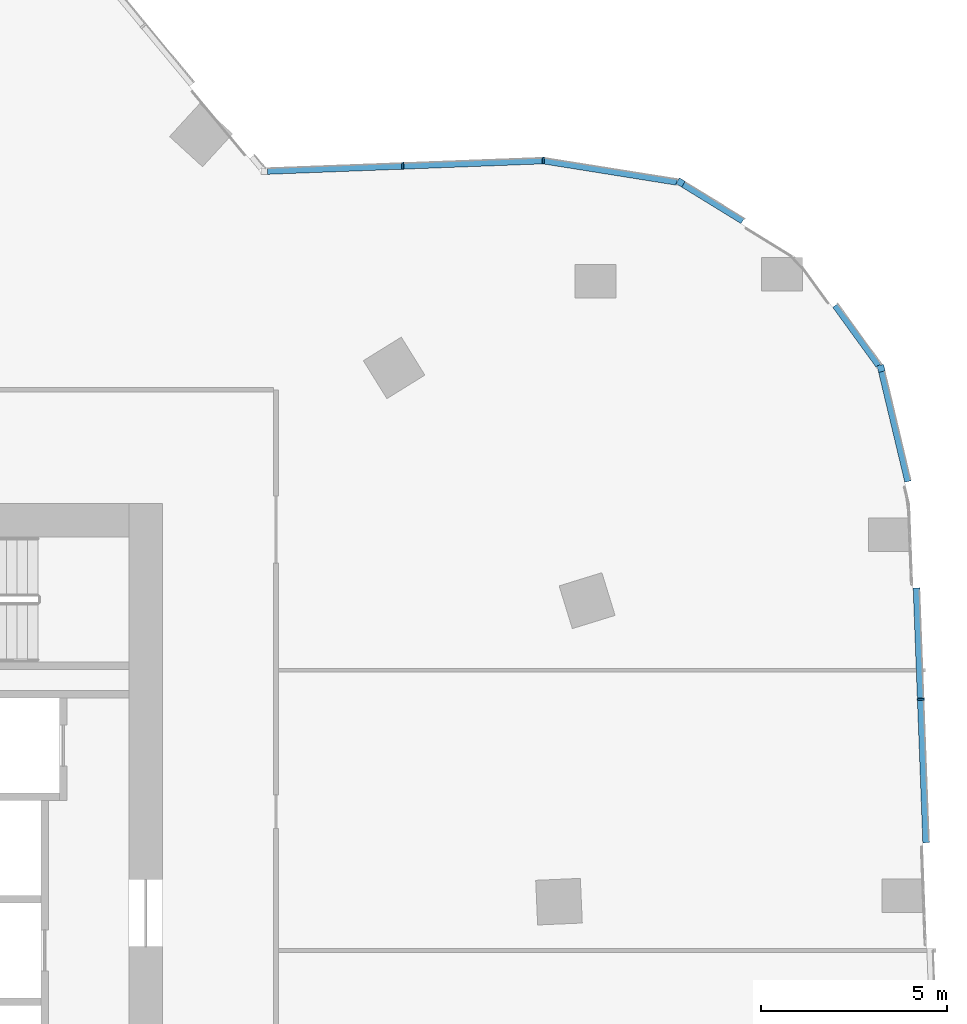
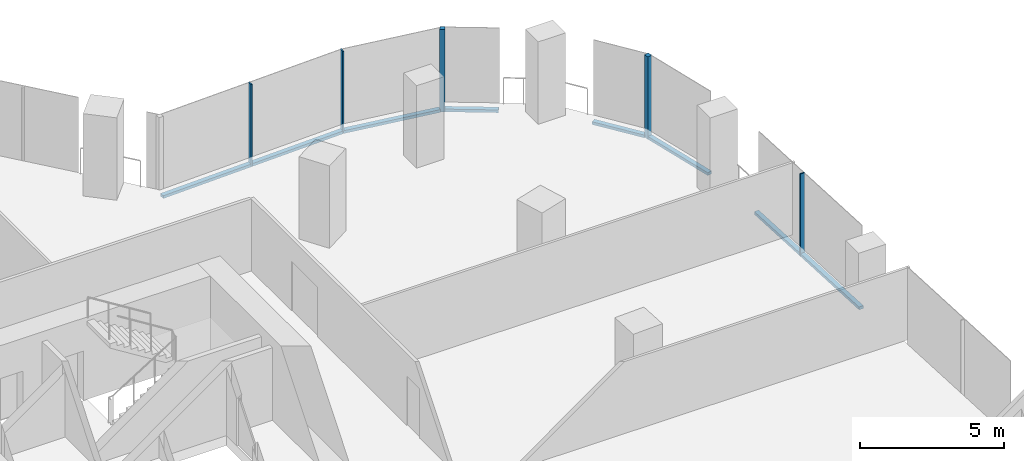
# One storey, part 11 of 28: 11 members, 6 elements without a shape of their own.
"""IFC4 building model written with IfcOpenShell, lengths in metres."""

from ifc_helpers import new_model, si_unit, direction, frame, origin, origin_2d, place, context, subcontext, project, spatial, rectangle, extrude, material, material_profile, profile_set, type_object, element, aggregate, save


model = new_model("IFC4")

# Units and contexts
model_context = context("Model", 3, precision=1e-05, world=origin(), true_north=direction((0.0, 1.0)))
body_context = subcontext(model_context, "Body", "Model", "MODEL_VIEW")
ifc_project = project(units=[si_unit("LENGTHUNIT", "METRE"), si_unit("AREAUNIT", "SQUARE_METRE"), si_unit("VOLUMEUNIT", "CUBIC_METRE"), si_unit("PLANEANGLEUNIT", "RADIAN"), si_unit("MASSUNIT", "GRAM", prefix="KILO")], contexts=[model_context])

# Site, building, storey
site_placement = place(None, origin())
site = spatial("IfcSite", under=ifc_project, at=site_placement, CompositionType="ELEMENT")
building_placement = place(site_placement, origin())
building = spatial("IfcBuilding", under=site, at=building_placement, Name="Orlundy Tower", CompositionType="ELEMENT")
storey_placement = place(building_placement, frame((0.0, 0.0, 167.10009765625)))
storey = spatial("IfcBuildingStorey", under=building, at=storey_placement, Name="L43", CompositionType="ELEMENT", Elevation=167.10009765625)

# Curtain wall, member
ifc_material_1 = material(Name="Aluminium bronze anodised", Category="aluminium")
curtain_wall_type = type_object("IfcCurtainWallType", Name="CW1 wall", PredefinedType="NOTDEFINED", material=ifc_material_1)
curtain_wall_1_placement = place(storey_placement, origin())
curtain_wall_1 = element("IfcCurtainWall", 1, at=curtain_wall_1_placement, inside=storey, type_object=curtain_wall_type, Name="CW1 run 08", PredefinedType="NOTDEFINED")
ifc_material_2 = material(Name="Aluminium bronze anodised", Category="aluminium")
ifc_material_profile_1 = material_profile(ifc_material_2, rectangle(XDim=0.179931640625, YDim=0.179931640625, at=origin_2d()), Name="CW1 corner post 180x180")
ifc_profile_set_1 = profile_set([ifc_material_profile_1], Name="Aluminium bronze anodised")
member_type_1 = type_object("IfcMemberType", Name="CW1 corner post 180x180", PredefinedType="MULLION", material=ifc_profile_set_1)
member_1_placement = place(storey_placement, frame((32.914794921875, 20.62109375, -0.420166015625), z_axis=(0.0, 0.0, 1.0), x_axis=(0.523946886645, 0.85175093776, 0.0)))
member_1 = element("IfcMember", 2, at=member_1_placement, type_object=member_type_1, Name="CW1 mullion 29", PredefinedType="MULLION", context=body_context, shape_type="SweptSolid", body=[
    extrude(rectangle(XDim=0.179931640625, YDim=0.179931640625, at=origin_2d()), origin(), (0.0, 0.0, 1.0), 3.5),
])

curtain_wall_2_placement = place(storey_placement, origin())
curtain_wall_2 = element("IfcCurtainWall", 3, at=curtain_wall_2_placement, inside=storey, type_object=curtain_wall_type, Name="CW1 run 010", PredefinedType="NOTDEFINED")
member_2_placement = place(storey_placement, frame((38.29833984375, 15.62939453125, -0.420166015625), z_axis=(0.0, 0.0, 1.0), x_axis=(0.972704793959, 0.23204608122, 0.0)))
member_2 = element("IfcMember", 4, at=member_2_placement, type_object=member_type_1, Name="CW1 mullion 31", PredefinedType="MULLION", context=body_context, shape_type="SweptSolid", body=[
    extrude(rectangle(XDim=0.179931640625, YDim=0.179931640625, at=origin_2d()), origin(), (0.0, 0.0, 1.0), 3.5),
])

curtain_wall_3_placement = place(storey_placement, origin())
curtain_wall_3 = element("IfcCurtainWall", 5, at=curtain_wall_3_placement, inside=storey, type_object=curtain_wall_type, Name="CW1 run 06", PredefinedType="NOTDEFINED")
ifc_material_3 = material(Name="Aluminium bronze anodised", Category="aluminium")
ifc_material_profile_2 = material_profile(ifc_material_3, rectangle(XDim=0.179931640625, YDim=0.050048828125, at=origin_2d()), Name="CW1 mullion 50x180")
ifc_profile_set_2 = profile_set([ifc_material_profile_2], Name="Aluminium bronze anodised")
member_type_2 = type_object("IfcMemberType", Name="CW1 mullion 50x180", PredefinedType="MULLION", material=ifc_profile_set_2)
member_3_placement = place(storey_placement, frame((25.455078125, 21.0673828125, -0.420166015625), z_axis=(0.0, 0.0, 1.0), x_axis=(-0.037836578056, 0.99928394031, 0.0)))
member_3 = element("IfcMember", 6, at=member_3_placement, type_object=member_type_2, Name="CW1 mullion 27", PredefinedType="MULLION", context=body_context, shape_type="SweptSolid", body=[
    extrude(rectangle(XDim=0.179931640625, YDim=0.050048828125, at=origin_2d()), origin(), (0.0, 0.0, 1.0), 3.5),
])

curtain_wall_4_placement = place(storey_placement, origin())
curtain_wall_4 = element("IfcCurtainWall", 7, at=curtain_wall_4_placement, inside=storey, type_object=curtain_wall_type, Name="CW1 run 07", PredefinedType="NOTDEFINED")
member_4_placement = place(storey_placement, frame((29.2275390625, 21.210205078125, -0.420166015625), z_axis=(0.0, 0.0, 1.0), x_axis=(0.060267073415, 0.998182287892, 0.0)))
member_4 = element("IfcMember", 8, at=member_4_placement, type_object=member_type_2, Name="CW1 mullion 28", PredefinedType="MULLION", context=body_context, shape_type="SweptSolid", body=[
    extrude(rectangle(XDim=0.179931640625, YDim=0.050048828125, at=origin_2d()), origin(), (0.0, 0.0, 1.0), 3.5),
])

curtain_wall_5_placement = place(storey_placement, origin())
curtain_wall_5 = element("IfcCurtainWall", 9, at=curtain_wall_5_placement, inside=storey, type_object=curtain_wall_type, Name="CW1 run 011", PredefinedType="NOTDEFINED")
member_5_placement = place(storey_placement, frame((39.363525390625, 6.7431640625, -0.420166015625), z_axis=(0.0, 0.0, 1.0), x_axis=(0.999284965389, 0.03780949547, 0.0)))
member_5 = element("IfcMember", 10, at=member_5_placement, type_object=member_type_2, Name="CW1 mullion 33", PredefinedType="MULLION", context=body_context, shape_type="SweptSolid", body=[
    extrude(rectangle(XDim=0.179931640625, YDim=0.050048828125, at=origin_2d()), origin(), (0.0, 0.0, 1.0), 3.5),
])

# Member
ifc_material_4 = material(Name="Aluminium bronze anodised", Category="aluminium")
ifc_material_profile_3 = material_profile(ifc_material_4, rectangle(XDim=0.179931640625, YDim=0.1201171875, at=origin_2d()), Name="CW1 transom 180x120")
ifc_profile_set_3 = profile_set([ifc_material_profile_3], Name="Aluminium bronze anodised")
member_type_3 = type_object("IfcMemberType", Name="CW1 transom 180x120", PredefinedType="USERDEFINED", material=ifc_profile_set_3)
member_6_placement = place(storey_placement, frame((21.825927734375, 20.929931640625, -0.360107421875), z_axis=(0.999283957256, 0.037836130506, 0.0), x_axis=(-0.037836130506, 0.999283957256, 0.0)))
member_6 = element("IfcMember", 11, at=member_6_placement, type_object=member_type_3, Name="CW1 transom", ObjectType="TRANSOM", PredefinedType="USERDEFINED", context=body_context, shape_type="SweptSolid", body=[
    extrude(rectangle(XDim=0.179931640625, YDim=0.1201171875, at=origin_2d()), origin(), (0.0, 0.0, 1.0), 7.3818359375),
])

aggregate(curtain_wall_3, [member_3, member_6])

member_7_placement = place(storey_placement, frame((29.252197265625, 21.206298828125, -0.360107421875), z_axis=(0.987475198306, -0.157774309477, 0.0), x_axis=(0.157774309477, 0.987475198306, 0.0)))
member_7 = element("IfcMember", 12, at=member_7_placement, type_object=member_type_3, Name="CW1 transom", ObjectType="TRANSOM", PredefinedType="USERDEFINED", context=body_context, shape_type="SweptSolid", body=[
    extrude(rectangle(XDim=0.179931640625, YDim=0.1201171875, at=origin_2d()), origin(), (0.0, 0.0, 1.0), 3.611572265625),
])

aggregate(curtain_wall_4, [member_4, member_7])

member_8_placement = place(storey_placement, frame((32.991455078125, 20.573974609375, -0.360107421875), z_axis=(0.851716565402, -0.524002759744, 0.0), x_axis=(0.524002759744, 0.851716565402, 0.0)))
member_8 = element("IfcMember", 13, at=member_8_placement, type_object=member_type_3, Name="CW1 transom", ObjectType="TRANSOM", PredefinedType="USERDEFINED", context=body_context, shape_type="SweptSolid", body=[
    extrude(rectangle(XDim=0.179931640625, YDim=0.1201171875, at=origin_2d()), origin(), (0.0, 0.0, 1.0), 1.87060546875),
])

aggregate(curtain_wall_1, [member_1, member_8])

# Curtain wall, member
curtain_wall_6_placement = place(storey_placement, origin())
curtain_wall_6 = element("IfcCurtainWall", 14, at=curtain_wall_6_placement, inside=storey, type_object=curtain_wall_type, Name="CW1 run 09", PredefinedType="NOTDEFINED")
member_9_placement = place(storey_placement, frame((37.07275390625, 17.32080078125, -0.360107421875), z_axis=(0.586756607718, -0.809763350183, 0.0), x_axis=(0.809763350183, 0.586756607718, 0.0)))
member_9 = element("IfcMember", 15, at=member_9_placement, type_object=member_type_3, Name="CW1 transom", ObjectType="TRANSOM", PredefinedType="USERDEFINED", context=body_context, shape_type="SweptSolid", body=[
    extrude(rectangle(XDim=0.179931640625, YDim=0.1201171875, at=origin_2d()), origin(), (0.0, 0.0, 1.0), 1.991455078125),
])
aggregate(curtain_wall_6, [member_9])

# Member
member_10_placement = place(storey_placement, frame((38.3193359375, 15.541748046875, -0.360107421875), z_axis=(0.232045024635, -0.972705046015, 0.0), x_axis=(0.972705046015, 0.232045024635, 0.0)))
member_10 = element("IfcMember", 16, at=member_10_placement, type_object=member_type_3, Name="CW1 transom", ObjectType="TRANSOM", PredefinedType="USERDEFINED", context=body_context, shape_type="SweptSolid", body=[
    extrude(rectangle(XDim=0.179931640625, YDim=0.1201171875, at=origin_2d()), origin(), (0.0, 0.0, 1.0), 3.0322265625),
])

aggregate(curtain_wall_2, [member_2, member_10])

member_11_placement = place(storey_placement, frame((39.250244140625, 9.735595703125, -0.360107421875), z_axis=(0.037822518029, -0.999284472575, 0.0), x_axis=(0.999284472575, 0.037822518029, 0.0)))
member_11 = element("IfcMember", 17, at=member_11_placement, type_object=member_type_3, Name="CW1 transom", ObjectType="TRANSOM", PredefinedType="USERDEFINED", context=body_context, shape_type="SweptSolid", body=[
    extrude(rectangle(XDim=0.179931640625, YDim=0.1201171875, at=origin_2d()), origin(), (0.0, 0.0, 1.0), 6.8486328125),
])

aggregate(curtain_wall_5, [member_5, member_11])

save(model, "model.ifc")
